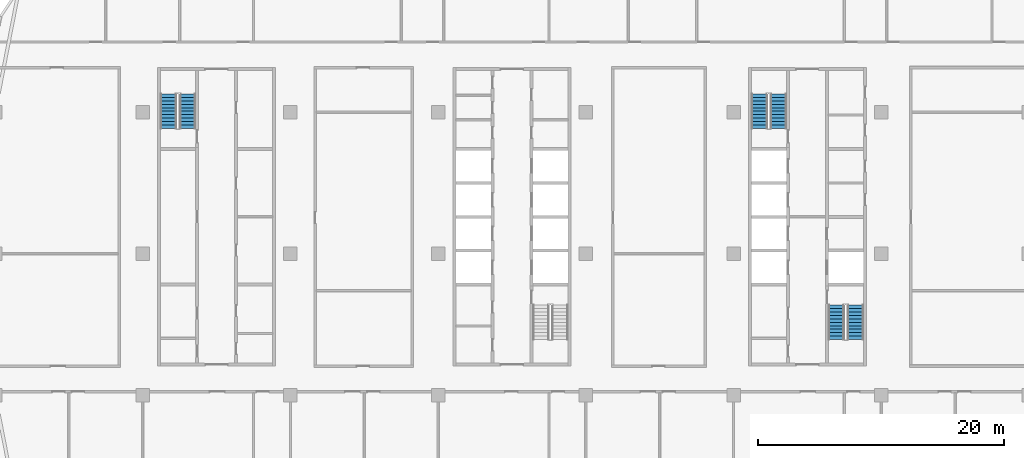
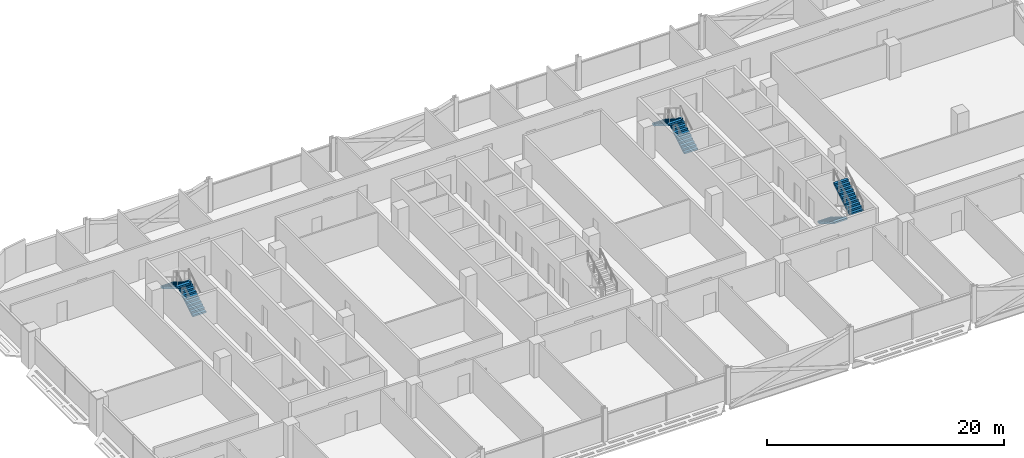
# One storey, part 19 of 30: 6 stair flights, 3 elements without a shape of their own.
"""IFC4 building model written with IfcOpenShell, lengths in metres."""

from ifc_helpers import new_model, si_unit, direction, frame, origin, place, context, subcontext, project, spatial, polyline, outline, extrude, material, type_object, element, aggregate, save


model = new_model("IFC4")

# Units and contexts
model_context = context("Model", 3, precision=1e-05, world=origin(), true_north=direction((0.0, 1.0)))
body_context = subcontext(model_context, "Body", "Model", "MODEL_VIEW")
ifc_project = project(units=[si_unit("LENGTHUNIT", "METRE"), si_unit("AREAUNIT", "SQUARE_METRE"), si_unit("VOLUMEUNIT", "CUBIC_METRE"), si_unit("PLANEANGLEUNIT", "RADIAN"), si_unit("MASSUNIT", "GRAM", prefix="KILO")], contexts=[model_context])

# Site, building, storey
site_placement = place(None, origin())
site = spatial("IfcSite", under=ifc_project, at=site_placement, CompositionType="ELEMENT")
building_placement = place(site_placement, origin())
building = spatial("IfcBuilding", under=site, at=building_placement, Name="Mahtab Terrace Research Tower", CompositionType="ELEMENT")
storey_placement = place(building_placement, frame((0.0, 0.0, 205.300048828125)))
storey = spatial("IfcBuildingStorey", under=building, at=storey_placement, Name="L49", CompositionType="ELEMENT", Elevation=205.300048828125)

# Stair, stair flights
ifc_material_1 = material(Name="Exit stair half-turn")
stair_type = type_object("IfcStairType", Name="Exit stair half-turn", PredefinedType="HALF_TURN_STAIR", material=ifc_material_1)
stair_1_placement = place(storey_placement, origin())
stair_1 = element("IfcStair", 1, at=stair_1_placement, inside=storey, type_object=stair_type, Name="L49 Protected exit stair ST1", PredefinedType="HALF_TURN_STAIR")
ifc_material_2 = material(Name="Concrete C40/50", Category="concrete")
stair_flight_type = type_object("IfcStairFlightType", Name="Exit stair flight 1300", PredefinedType="STRAIGHT", material=ifc_material_2)
stair_flight_1_placement = place(storey_placement, frame((-26.35009765625, 10.175048828125, 0.0), z_axis=(0.0, 0.0, 1.0), x_axis=(0.0, 1.0, 0.0)))
stair_flight_1 = element("IfcStairFlight", 2, at=stair_flight_1_placement, type_object=stair_flight_type, Name="ST1 flight 1", NumberOfRisers=11, NumberOfTreads=10, PredefinedType="STRAIGHT", RiserHeight=0.172727273, TreadLength=0.28, context=body_context, shape_type="SweptSolid", body=[
    extrude(outline(polyline([(0.0, 0.0), (0.0, 0.172607421875), (0.280029296875, 0.172607421875), (0.280029296875, 0.345458984375), (0.56005859375, 0.345458984375), (0.56005859375, 0.51806640625), (0.840087890625, 0.51806640625), (0.840087890625, 0.69091796875), (1.1201171875, 0.69091796875), (1.1201171875, 0.863525390625), (1.39990234375, 0.863525390625), (1.39990234375, 1.036376953125), (1.679931640625, 1.036376953125), (1.679931640625, 1.208984375), (1.9599609375, 1.208984375), (1.9599609375, 1.3818359375), (2.239990234375, 1.3818359375), (2.239990234375, 1.554443359375), (2.52001953125, 1.554443359375), (2.52001953125, 1.727294921875), (2.800048828125, 1.727294921875), (2.800048828125, 1.89990234375), (2.800048828125, 1.551025390625), (0.285400390625, 0.0), (0.0, 0.0)])), frame((0.0, 0.64990234375, 0.0), z_axis=(0.0, -1.0, 0.0), x_axis=(1.0, 0.0, 0.0)), (0.0, 0.0, 1.0), 1.300048828125),
])
stair_flight_2_placement = place(storey_placement, frame((-27.89990234375, 12.97509765625, 1.89990234375), z_axis=(0.0, 0.0, 1.0), x_axis=(0.0, -1.0, 0.0)))
stair_flight_2 = element("IfcStairFlight", 3, at=stair_flight_2_placement, type_object=stair_flight_type, Name="ST1 flight 2", NumberOfRisers=11, NumberOfTreads=10, PredefinedType="STRAIGHT", RiserHeight=0.172727273, TreadLength=0.28, context=body_context, shape_type="SweptSolid", body=[
    extrude(outline(polyline([(0.0, 0.0), (0.0, 0.172607421875), (0.280029296875, 0.172607421875), (0.280029296875, 0.345458984375), (0.56005859375, 0.345458984375), (0.56005859375, 0.51806640625), (0.840087890625, 0.51806640625), (0.840087890625, 0.69091796875), (1.1201171875, 0.69091796875), (1.1201171875, 0.863525390625), (1.39990234375, 0.863525390625), (1.39990234375, 1.036376953125), (1.679931640625, 1.036376953125), (1.679931640625, 1.208984375), (1.9599609375, 1.208984375), (1.9599609375, 1.3818359375), (2.239990234375, 1.3818359375), (2.239990234375, 1.554443359375), (2.52001953125, 1.554443359375), (2.52001953125, 1.727294921875), (2.800048828125, 1.727294921875), (2.800048828125, 1.89990234375), (2.800048828125, 1.551025390625), (0.285400390625, 0.0), (0.0, 0.0)])), frame((0.0, 0.64990234375, 0.0), z_axis=(0.0, -1.0, 0.0), x_axis=(1.0, 0.0, 0.0)), (0.0, 0.0, 1.0), 1.300048828125),
])
aggregate(stair_1, [stair_flight_1, stair_flight_2])

stair_2_placement = place(storey_placement, origin())
stair_2 = element("IfcStair", 4, at=stair_2_placement, inside=storey, type_object=stair_type, Name="L49 Protected exit stair ST3", PredefinedType="HALF_TURN_STAIR")
stair_flight_3_placement = place(storey_placement, frame((21.64990234375, 10.175048828125, 0.0), z_axis=(0.0, 0.0, 1.0), x_axis=(0.0, 1.0, 0.0)))
stair_flight_3 = element("IfcStairFlight", 5, at=stair_flight_3_placement, type_object=stair_flight_type, Name="ST3 flight 1", NumberOfRisers=11, NumberOfTreads=10, PredefinedType="STRAIGHT", RiserHeight=0.172727273, TreadLength=0.28, context=body_context, shape_type="SweptSolid", body=[
    extrude(outline(polyline([(0.0, 0.0), (0.0, 0.172607421875), (0.280029296875, 0.172607421875), (0.280029296875, 0.345458984375), (0.56005859375, 0.345458984375), (0.56005859375, 0.51806640625), (0.840087890625, 0.51806640625), (0.840087890625, 0.69091796875), (1.1201171875, 0.69091796875), (1.1201171875, 0.863525390625), (1.39990234375, 0.863525390625), (1.39990234375, 1.036376953125), (1.679931640625, 1.036376953125), (1.679931640625, 1.208984375), (1.9599609375, 1.208984375), (1.9599609375, 1.3818359375), (2.239990234375, 1.3818359375), (2.239990234375, 1.554443359375), (2.52001953125, 1.554443359375), (2.52001953125, 1.727294921875), (2.800048828125, 1.727294921875), (2.800048828125, 1.89990234375), (2.800048828125, 1.551025390625), (0.285400390625, 0.0), (0.0, 0.0)])), frame((0.0, 0.64990234375, 0.0), z_axis=(0.0, -1.0, 0.0), x_axis=(1.0, 0.0, 0.0)), (0.0, 0.0, 1.0), 1.300048828125),
])
stair_flight_4_placement = place(storey_placement, frame((20.10009765625, 12.97509765625, 1.89990234375), z_axis=(0.0, 0.0, 1.0), x_axis=(0.0, -1.0, 0.0)))
stair_flight_4 = element("IfcStairFlight", 6, at=stair_flight_4_placement, type_object=stair_flight_type, Name="ST3 flight 2", NumberOfRisers=11, NumberOfTreads=10, PredefinedType="STRAIGHT", RiserHeight=0.172727273, TreadLength=0.28, context=body_context, shape_type="SweptSolid", body=[
    extrude(outline(polyline([(0.0, 0.0), (0.0, 0.172607421875), (0.280029296875, 0.172607421875), (0.280029296875, 0.345458984375), (0.56005859375, 0.345458984375), (0.56005859375, 0.51806640625), (0.840087890625, 0.51806640625), (0.840087890625, 0.69091796875), (1.1201171875, 0.69091796875), (1.1201171875, 0.863525390625), (1.39990234375, 0.863525390625), (1.39990234375, 1.036376953125), (1.679931640625, 1.036376953125), (1.679931640625, 1.208984375), (1.9599609375, 1.208984375), (1.9599609375, 1.3818359375), (2.239990234375, 1.3818359375), (2.239990234375, 1.554443359375), (2.52001953125, 1.554443359375), (2.52001953125, 1.727294921875), (2.800048828125, 1.727294921875), (2.800048828125, 1.89990234375), (2.800048828125, 1.551025390625), (0.285400390625, 0.0), (0.0, 0.0)])), frame((0.0, 0.64990234375, 0.0), z_axis=(0.0, -1.0, 0.0), x_axis=(1.0, 0.0, 0.0)), (0.0, 0.0, 1.0), 1.300048828125),
])
aggregate(stair_2, [stair_flight_3, stair_flight_4])

stair_3_placement = place(storey_placement, origin())
stair_3 = element("IfcStair", 7, at=stair_3_placement, inside=storey, type_object=stair_type, Name="L49 Protected exit stair ST4", PredefinedType="HALF_TURN_STAIR")
stair_flight_5_placement = place(storey_placement, frame((26.35009765625, -4.175048828125, 0.0), z_axis=(0.0, 0.0, 1.0), x_axis=(0.0, -1.0, 0.0)))
stair_flight_5 = element("IfcStairFlight", 8, at=stair_flight_5_placement, type_object=stair_flight_type, Name="ST4 flight 1", NumberOfRisers=11, NumberOfTreads=10, PredefinedType="STRAIGHT", RiserHeight=0.172727273, TreadLength=0.28, context=body_context, shape_type="SweptSolid", body=[
    extrude(outline(polyline([(0.0, 0.0), (0.0, 0.172607421875), (0.280029296875, 0.172607421875), (0.280029296875, 0.345458984375), (0.56005859375, 0.345458984375), (0.56005859375, 0.51806640625), (0.840087890625, 0.51806640625), (0.840087890625, 0.69091796875), (1.1201171875, 0.69091796875), (1.1201171875, 0.863525390625), (1.39990234375, 0.863525390625), (1.39990234375, 1.036376953125), (1.679931640625, 1.036376953125), (1.679931640625, 1.208984375), (1.9599609375, 1.208984375), (1.9599609375, 1.3818359375), (2.239990234375, 1.3818359375), (2.239990234375, 1.554443359375), (2.52001953125, 1.554443359375), (2.52001953125, 1.727294921875), (2.800048828125, 1.727294921875), (2.800048828125, 1.89990234375), (2.800048828125, 1.551025390625), (0.285400390625, 0.0), (0.0, 0.0)])), frame((0.0, 0.64990234375, 0.0), z_axis=(0.0, -1.0, 0.0), x_axis=(1.0, 0.0, 0.0)), (0.0, 0.0, 1.0), 1.300048828125),
])
stair_flight_6_placement = place(storey_placement, frame((27.89990234375, -6.97509765625, 1.89990234375), z_axis=(0.0, 0.0, 1.0), x_axis=(0.0, 1.0, 0.0)))
stair_flight_6 = element("IfcStairFlight", 9, at=stair_flight_6_placement, type_object=stair_flight_type, Name="ST4 flight 2", NumberOfRisers=11, NumberOfTreads=10, PredefinedType="STRAIGHT", RiserHeight=0.172727273, TreadLength=0.28, context=body_context, shape_type="SweptSolid", body=[
    extrude(outline(polyline([(0.0, 0.0), (0.0, 0.172607421875), (0.280029296875, 0.172607421875), (0.280029296875, 0.345458984375), (0.56005859375, 0.345458984375), (0.56005859375, 0.51806640625), (0.840087890625, 0.51806640625), (0.840087890625, 0.69091796875), (1.1201171875, 0.69091796875), (1.1201171875, 0.863525390625), (1.39990234375, 0.863525390625), (1.39990234375, 1.036376953125), (1.679931640625, 1.036376953125), (1.679931640625, 1.208984375), (1.9599609375, 1.208984375), (1.9599609375, 1.3818359375), (2.239990234375, 1.3818359375), (2.239990234375, 1.554443359375), (2.52001953125, 1.554443359375), (2.52001953125, 1.727294921875), (2.800048828125, 1.727294921875), (2.800048828125, 1.89990234375), (2.800048828125, 1.551025390625), (0.285400390625, 0.0), (0.0, 0.0)])), frame((0.0, 0.64990234375, 0.0), z_axis=(0.0, -1.0, 0.0), x_axis=(1.0, 0.0, 0.0)), (0.0, 0.0, 1.0), 1.300048828125),
])
aggregate(stair_3, [stair_flight_5, stair_flight_6])

save(model, "model.ifc")
